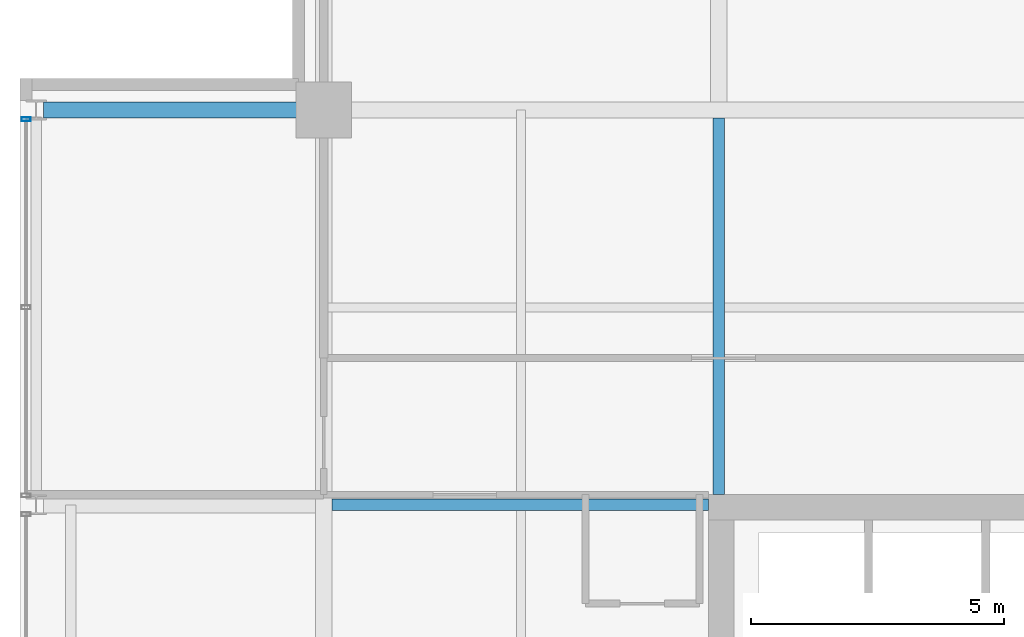
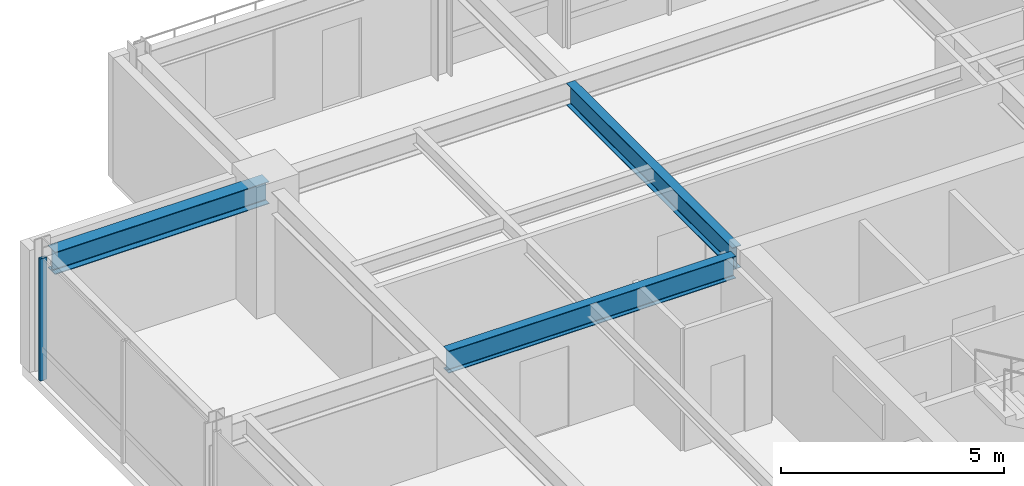
# One storey, part 18 of 31: 3 beams, 1 member, 1 element without a shape of its own.
"""IFC4 building model written with IfcOpenShell, lengths in metres."""

from ifc_helpers import new_model, si_unit, direction, frame, origin, origin_2d, place, context, subcontext, project, spatial, hollow_rectangle, i_section, extrude, material, layer, layer_set, material_profile, profile_set, type_object, element, aggregate, save


model = new_model("IFC4")

# Units and contexts
model_context = context("Model", 3, precision=1e-05, world=origin(), true_north=direction((0.0, 1.0)))
body_context = subcontext(model_context, "Body", "Model", "MODEL_VIEW")
ifc_project = project(units=[si_unit("LENGTHUNIT", "METRE"), si_unit("AREAUNIT", "SQUARE_METRE"), si_unit("VOLUMEUNIT", "CUBIC_METRE"), si_unit("PLANEANGLEUNIT", "RADIAN"), si_unit("MASSUNIT", "GRAM", prefix="KILO")], contexts=[model_context])

# Site, building, storey
site_placement = place(None, origin())
site = spatial("IfcSite", under=ifc_project, at=site_placement, CompositionType="ELEMENT")
building_placement = place(site_placement, origin())
building = spatial("IfcBuilding", under=site, at=building_placement, Name="Drelvath Grand Hotel", CompositionType="ELEMENT")
storey_placement = place(building_placement, frame((0.0, 0.0, 219.5)))
storey = spatial("IfcBuildingStorey", under=building, at=storey_placement, Name="L57", CompositionType="ELEMENT", Elevation=219.5)

# Curtain wall, member
ifc_material_1 = material(Name="Platinum-Mist Anodised Aluminium Frame", Category="aluminium")
ifc_layer = layer(ifc_material_1, 0.199951171875)
ifc_layer_set = layer_set([ifc_layer], Name="Platinum-Mist Anodised Aluminium Frame")
curtain_wall_type = type_object("IfcCurtainWallType", Name="Stick Curtain Wall CW-05 Platinum Mist High-Rise", PredefinedType="NOTDEFINED", material=ifc_layer_set)
curtain_wall_placement = place(storey_placement, origin())
curtain_wall = element("IfcCurtainWall", 1, at=curtain_wall_placement, inside=storey, type_object=curtain_wall_type, Name="L57 CW-05 Curtain Wall CW05-L57-WN2", PredefinedType="NOTDEFINED")
ifc_material_profile_1 = material_profile(ifc_material_1, hollow_rectangle(XDim=0.074951171875, YDim=0.179931640625, WallThickness=0.0048828125, at=origin_2d()), Name="HSS180X75X5")
ifc_profile_set_1 = profile_set([ifc_material_profile_1], Name="Platinum-Mist Anodised Aluminium Frame")
member_type = type_object("IfcMemberType", Name="Curtain Wall Vertical Mullion CW-05 HSS180X75X5", PredefinedType="MULLION", material=ifc_profile_set_1)
member_placement = place(storey_placement, frame((-22.080078125, 43.0146484375, 0.0), z_axis=(0.0, 0.0, 1.0), x_axis=(0.0, 1.0, 0.0)))
member = element("IfcMember", 2, at=member_placement, type_object=member_type, Name="CW05-L57-WN2 Mullion 3", PredefinedType="MULLION", context=body_context, shape_type="SweptSolid", body=[
    extrude(hollow_rectangle(XDim=0.074951171875, YDim=0.179931640625, WallThickness=0.0048828125, at=origin_2d()), origin(), (0.0, 0.0, 1.0), 3.340087890625),
])
aggregate(curtain_wall, [member])

# Beams
ifc_material_2 = material(Name="Steel ASTM A992 Gr 50", Category="steel")
ifc_material_profile_2 = material_profile(ifc_material_2, i_section(OverallWidth=0.323974609375, OverallDepth=0.611083984375, WebThickness=0.0126953125, FlangeThickness=0.01904296875, FilletRadius=0.02197265625, at=origin_2d()), Name="W24X104")
ifc_profile_set_2 = profile_set([ifc_material_profile_2], Name="Steel ASTM A992 Gr 50")
beam_type_1 = type_object("IfcBeamType", Name="Primary Floor Girder W24X104", PredefinedType="BEAM", material=ifc_profile_set_2)
beam_placement = place(storey_placement, frame((-21.739990234375, 43.199951171875, 3.034423828125), z_axis=(1.0, 0.0, 0.0), x_axis=(0.0, 1.0, 0.0)))
element("IfcBeam", 3, at=beam_placement, inside=storey, type_object=beam_type_1, Name="L57 West Grid Girder G", PredefinedType="BEAM", context=body_context, shape_type="SweptSolid", body=[
    extrude(i_section(OverallWidth=0.323974609375, OverallDepth=0.611083984375, WebThickness=0.0126953125, FlangeThickness=0.01904296875, FilletRadius=0.02197265625, at=origin_2d()), origin(), (0.0, 0.0, 1.0), 5.5400390625),
])
ifc_material_profile_3 = material_profile(ifc_material_2, i_section(OverallWidth=0.228271484375, OverallDepth=0.607666015625, WebThickness=0.01123046875, FlangeThickness=0.017333984375, FilletRadius=0.02001953125, at=origin_2d()), Name="W24X76")
ifc_profile_set_3 = profile_set([ifc_material_profile_3], Name="Steel ASTM A992 Gr 50")
beam_type_2 = type_object("IfcBeamType", Name="Primary Floor Girder W24X76", PredefinedType="BEAM", material=ifc_profile_set_3)
for number, where, z_axis, x_axis, name in (
    (4, (-16.0380859375, 35.39990234375, 3.0361328125), (1.0, 0.0, 0.0), (0.0, 1.0, 0.0), "L57 West Core Tie F"),
    (5, (-8.39990234375, 35.60009765625, 3.0361328125), (0.0, 1.0, 0.0), (-1.0, 0.0, 0.0), "L57 North Core Tie 4"),
):
    element("IfcBeam", number, at=place(storey_placement, frame(where, z_axis=z_axis, x_axis=x_axis)), inside=storey, type_object=beam_type_2, Name=name, PredefinedType="BEAM", context=body_context, shape_type="SweptSolid", body=[
        extrude(i_section(OverallWidth=0.228271484375, OverallDepth=0.607666015625, WebThickness=0.01123046875, FlangeThickness=0.017333984375, FilletRadius=0.02001953125, at=origin_2d()), origin(), (0.0, 0.0, 1.0), 7.43798828125),
    ])

save(model, "model.ifc")
